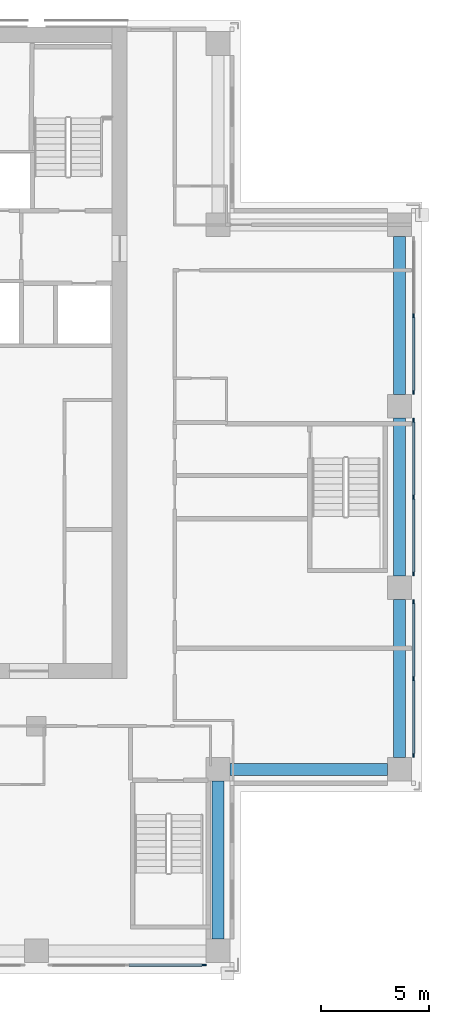
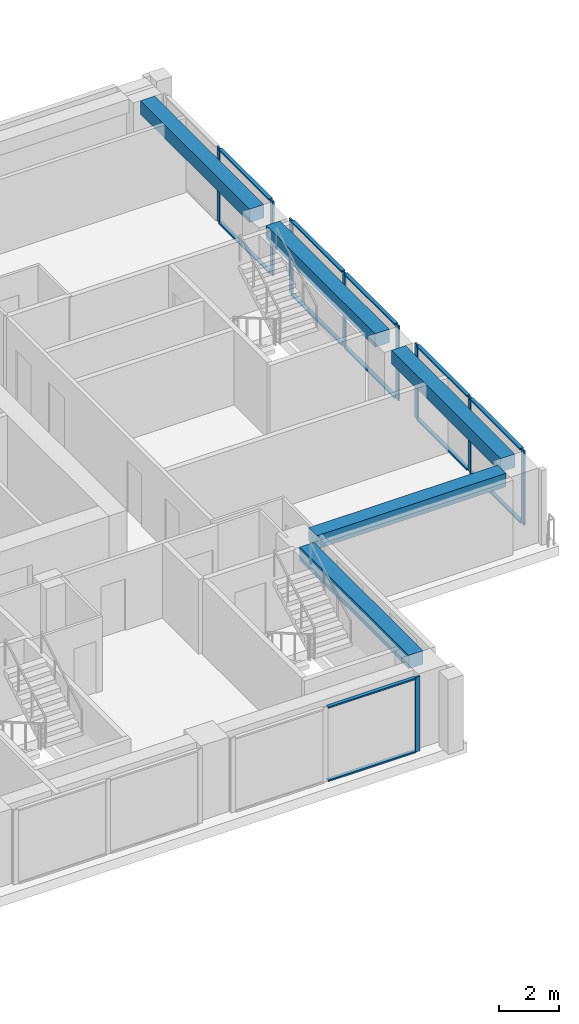
# One storey, part 5 of 16: 21 members, 5 beams, 4 elements without a shape of their own.
"""IFC4 building model written with IfcOpenShell, lengths in metres."""

from ifc_helpers import new_model, si_unit, direction, frame, origin, origin_2d, place, context, subcontext, project, spatial, rectangle, extrude, material, material_profile, profile_set, type_object, element, aggregate, save


model = new_model("IFC4")

# Units and contexts
model_context = context("Model", 3, precision=1e-05, world=origin(), true_north=direction((0.0, 1.0)))
body_context = subcontext(model_context, "Body", "Model", "MODEL_VIEW")
ifc_project = project(units=[si_unit("LENGTHUNIT", "METRE"), si_unit("AREAUNIT", "SQUARE_METRE"), si_unit("VOLUMEUNIT", "CUBIC_METRE"), si_unit("PLANEANGLEUNIT", "RADIAN"), si_unit("MASSUNIT", "GRAM", prefix="KILO")], contexts=[model_context])

# Site, building, storey
site_placement = place(None, origin())
site = spatial("IfcSite", under=ifc_project, at=site_placement, CompositionType="ELEMENT")
building_placement = place(site_placement, origin())
building = spatial("IfcBuilding", under=site, at=building_placement, Name="Vermilion Ogive Tower", CompositionType="ELEMENT")
storey_placement = place(building_placement, frame((0.0, 0.0, 136.550048828125)))
storey = spatial("IfcBuildingStorey", under=building, at=storey_placement, Name="L34", CompositionType="ELEMENT", Elevation=136.550048828125)

# Curtain wall, member
ifc_material_1 = material(Name="Low-iron laminated glazing in aluminium frame", Category="aluminium")
curtain_wall_type = type_object("IfcCurtainWallType", Name="Curtain wall CW7", PredefinedType="NOTDEFINED", material=ifc_material_1)
curtain_wall_1_placement = place(storey_placement, origin())
curtain_wall_1 = element("IfcCurtainWall", 1, at=curtain_wall_1_placement, inside=storey, type_object=curtain_wall_type, Name="Glazed skin S3", PredefinedType="NOTDEFINED")
ifc_material_2 = material(Name="Aluminium mullion", Category="aluminium")
ifc_material_profile_1 = material_profile(ifc_material_2, rectangle(XDim=0.06005859375, YDim=0.179931640625, at=origin_2d()), Name="AL 60x180")
ifc_profile_set_1 = profile_set([ifc_material_profile_1], Name="Aluminium mullion")
member_type_1 = type_object("IfcMemberType", Name="CW7 mullion 60x180", PredefinedType="MULLION", material=ifc_profile_set_1)
member_1_placement = place(storey_placement, frame((11.9599609375, -21.64990234375, 0.0), z_axis=(0.0, 0.0, 1.0), x_axis=(0.0, 1.0, 0.0)))
member_1 = element("IfcMember", 2, at=member_1_placement, type_object=member_type_1, Name="CW7-S3 mullion 3", PredefinedType="MULLION", context=body_context, shape_type="SweptSolid", body=[
    extrude(rectangle(XDim=0.06005859375, YDim=0.179931640625, at=origin_2d()), origin(), (0.0, 0.0, 1.0), 3.050048828125),
])

# Curtain wall, members
curtain_wall_2_placement = place(storey_placement, origin())
curtain_wall_2 = element("IfcCurtainWall", 3, at=curtain_wall_2_placement, inside=storey, type_object=curtain_wall_type, Name="Glazed skin E1", PredefinedType="NOTDEFINED")
member_2_placement = place(storey_placement, frame((21.64990234375, -11.9599609375, 0.0), z_axis=(0.0, 0.0, 1.0), x_axis=(-1.0, 0.0, 0.0)))
member_2 = element("IfcMember", 4, at=member_2_placement, type_object=member_type_1, Name="CW7-E1 mullion 1", PredefinedType="MULLION", context=body_context, shape_type="SweptSolid", body=[
    extrude(rectangle(XDim=0.06005859375, YDim=0.179931640625, at=origin_2d()), origin(), (0.0, 0.0, 1.0), 3.050048828125),
])
member_3_placement = place(storey_placement, frame((21.64990234375, -8.39990234375, 0.0), z_axis=(0.0, 0.0, 1.0), x_axis=(-1.0, 0.0, 0.0)))
member_3 = element("IfcMember", 5, at=member_3_placement, type_object=member_type_1, Name="CW7-E1 mullion 2", PredefinedType="MULLION", context=body_context, shape_type="SweptSolid", body=[
    extrude(rectangle(XDim=0.06005859375, YDim=0.179931640625, at=origin_2d()), origin(), (0.0, 0.0, 1.0), 3.050048828125),
])
member_4_placement = place(storey_placement, frame((21.64990234375, -4.840087890625, 0.0), z_axis=(0.0, 0.0, 1.0), x_axis=(-1.0, 0.0, 0.0)))
member_4 = element("IfcMember", 6, at=member_4_placement, type_object=member_type_1, Name="CW7-E1 mullion 3", PredefinedType="MULLION", context=body_context, shape_type="SweptSolid", body=[
    extrude(rectangle(XDim=0.06005859375, YDim=0.179931640625, at=origin_2d()), origin(), (0.0, 0.0, 1.0), 3.050048828125),
])

curtain_wall_3_placement = place(storey_placement, origin())
curtain_wall_3 = element("IfcCurtainWall", 7, at=curtain_wall_3_placement, inside=storey, type_object=curtain_wall_type, Name="Glazed skin E2", PredefinedType="NOTDEFINED")
member_5_placement = place(storey_placement, frame((21.64990234375, -3.56005859375, 0.0), z_axis=(0.0, 0.0, 1.0), x_axis=(-1.0, 0.0, 0.0)))
member_5 = element("IfcMember", 8, at=member_5_placement, type_object=member_type_1, Name="CW7-E2 mullion 1", PredefinedType="MULLION", context=body_context, shape_type="SweptSolid", body=[
    extrude(rectangle(XDim=0.06005859375, YDim=0.179931640625, at=origin_2d()), origin(), (0.0, 0.0, 1.0), 3.050048828125),
])
member_6_placement = place(storey_placement, frame((21.64990234375, 0.0, 0.0), z_axis=(0.0, 0.0, 1.0), x_axis=(-1.0, 0.0, 0.0)))
member_6 = element("IfcMember", 9, at=member_6_placement, type_object=member_type_1, Name="CW7-E2 mullion 2", PredefinedType="MULLION", context=body_context, shape_type="SweptSolid", body=[
    extrude(rectangle(XDim=0.06005859375, YDim=0.179931640625, at=origin_2d()), origin(), (0.0, 0.0, 1.0), 3.050048828125),
])
member_7_placement = place(storey_placement, frame((21.64990234375, 3.56005859375, 0.0), z_axis=(0.0, 0.0, 1.0), x_axis=(-1.0, 0.0, 0.0)))
member_7 = element("IfcMember", 10, at=member_7_placement, type_object=member_type_1, Name="CW7-E2 mullion 3", PredefinedType="MULLION", context=body_context, shape_type="SweptSolid", body=[
    extrude(rectangle(XDim=0.06005859375, YDim=0.179931640625, at=origin_2d()), origin(), (0.0, 0.0, 1.0), 3.050048828125),
])

curtain_wall_4_placement = place(storey_placement, origin())
curtain_wall_4 = element("IfcCurtainWall", 11, at=curtain_wall_4_placement, inside=storey, type_object=curtain_wall_type, Name="Glazed skin E3", PredefinedType="NOTDEFINED")
member_8_placement = place(storey_placement, frame((21.64990234375, 4.840087890625, 0.0), z_axis=(0.0, 0.0, 1.0), x_axis=(-1.0, 0.0, 0.0)))
member_8 = element("IfcMember", 12, at=member_8_placement, type_object=member_type_1, Name="CW7-E3 mullion 1", PredefinedType="MULLION", context=body_context, shape_type="SweptSolid", body=[
    extrude(rectangle(XDim=0.06005859375, YDim=0.179931640625, at=origin_2d()), origin(), (0.0, 0.0, 1.0), 3.050048828125),
])
member_9_placement = place(storey_placement, frame((21.64990234375, 8.39990234375, 0.0), z_axis=(0.0, 0.0, 1.0), x_axis=(-1.0, 0.0, 0.0)))
member_9 = element("IfcMember", 13, at=member_9_placement, type_object=member_type_1, Name="CW7-E3 mullion 2", PredefinedType="MULLION", context=body_context, shape_type="SweptSolid", body=[
    extrude(rectangle(XDim=0.06005859375, YDim=0.179931640625, at=origin_2d()), origin(), (0.0, 0.0, 1.0), 3.050048828125),
])

# Member
ifc_material_3 = material(Name="Aluminium transom", Category="aluminium")
ifc_material_profile_2 = material_profile(ifc_material_3, rectangle(XDim=0.139892578125, YDim=0.06005859375, at=origin_2d()), Name="AL 60x140")
ifc_profile_set_2 = profile_set([ifc_material_profile_2], Name="Aluminium transom")
member_type_2 = type_object("IfcMemberType", Name="CW7 transom 60x140", PredefinedType="USERDEFINED", material=ifc_profile_set_2)
member_10_placement = place(storey_placement, frame((8.489990234375, -21.64990234375, 0.030029296875), z_axis=(1.0, 0.0, 0.0), x_axis=(0.0, 1.0, 0.0)))
member_10 = element("IfcMember", 14, at=member_10_placement, type_object=member_type_2, Name="CW7-S3 transom 2.1", ObjectType="TRANSOM", PredefinedType="USERDEFINED", context=body_context, shape_type="SweptSolid", body=[
    extrude(rectangle(XDim=0.139892578125, YDim=0.06005859375, at=origin_2d()), origin(), (0.0, 0.0, 1.0), 3.380126953125),
])

member_11_placement = place(storey_placement, frame((8.489990234375, -21.64990234375, 3.02001953125), z_axis=(1.0, 0.0, 0.0), x_axis=(0.0, 1.0, 0.0)))
member_11 = element("IfcMember", 15, at=member_11_placement, type_object=member_type_2, Name="CW7-S3 transom 2.2", ObjectType="TRANSOM", PredefinedType="USERDEFINED", context=body_context, shape_type="SweptSolid", body=[
    extrude(rectangle(XDim=0.139892578125, YDim=0.06005859375, at=origin_2d()), origin(), (0.0, 0.0, 1.0), 3.380126953125),
])

aggregate(curtain_wall_1, [member_1, member_10, member_11])

member_12_placement = place(storey_placement, frame((21.64990234375, -11.8701171875, 0.030029296875), z_axis=(0.0, 1.0, 0.0), x_axis=(-1.0, 0.0, 0.0)))
member_12 = element("IfcMember", 16, at=member_12_placement, type_object=member_type_2, Name="CW7-E1 transom 1.1", ObjectType="TRANSOM", PredefinedType="USERDEFINED", context=body_context, shape_type="SweptSolid", body=[
    extrude(rectangle(XDim=0.139892578125, YDim=0.06005859375, at=origin_2d()), origin(), (0.0, 0.0, 1.0), 3.380126953125),
])

member_13_placement = place(storey_placement, frame((21.64990234375, -11.8701171875, 3.02001953125), z_axis=(0.0, 1.0, 0.0), x_axis=(-1.0, 0.0, 0.0)))
member_13 = element("IfcMember", 17, at=member_13_placement, type_object=member_type_2, Name="CW7-E1 transom 1.2", ObjectType="TRANSOM", PredefinedType="USERDEFINED", context=body_context, shape_type="SweptSolid", body=[
    extrude(rectangle(XDim=0.139892578125, YDim=0.06005859375, at=origin_2d()), origin(), (0.0, 0.0, 1.0), 3.380126953125),
])

member_14_placement = place(storey_placement, frame((21.64990234375, -8.31005859375, 0.030029296875), z_axis=(0.0, 1.0, 0.0), x_axis=(-1.0, 0.0, 0.0)))
member_14 = element("IfcMember", 18, at=member_14_placement, type_object=member_type_2, Name="CW7-E1 transom 2.1", ObjectType="TRANSOM", PredefinedType="USERDEFINED", context=body_context, shape_type="SweptSolid", body=[
    extrude(rectangle(XDim=0.139892578125, YDim=0.06005859375, at=origin_2d()), origin(), (0.0, 0.0, 1.0), 3.380126953125),
])

member_15_placement = place(storey_placement, frame((21.64990234375, -8.31005859375, 3.02001953125), z_axis=(0.0, 1.0, 0.0), x_axis=(-1.0, 0.0, 0.0)))
member_15 = element("IfcMember", 19, at=member_15_placement, type_object=member_type_2, Name="CW7-E1 transom 2.2", ObjectType="TRANSOM", PredefinedType="USERDEFINED", context=body_context, shape_type="SweptSolid", body=[
    extrude(rectangle(XDim=0.139892578125, YDim=0.06005859375, at=origin_2d()), origin(), (0.0, 0.0, 1.0), 3.380126953125),
])

aggregate(curtain_wall_2, [member_2, member_3, member_4, member_12, member_13, member_14, member_15])

member_16_placement = place(storey_placement, frame((21.64990234375, -3.469970703125, 0.030029296875), z_axis=(0.0, 1.0, 0.0), x_axis=(-1.0, 0.0, 0.0)))
member_16 = element("IfcMember", 20, at=member_16_placement, type_object=member_type_2, Name="CW7-E2 transom 1.1", ObjectType="TRANSOM", PredefinedType="USERDEFINED", context=body_context, shape_type="SweptSolid", body=[
    extrude(rectangle(XDim=0.139892578125, YDim=0.06005859375, at=origin_2d()), origin(), (0.0, 0.0, 1.0), 3.3798828125),
])

member_17_placement = place(storey_placement, frame((21.64990234375, -3.469970703125, 3.02001953125), z_axis=(0.0, 1.0, 0.0), x_axis=(-1.0, 0.0, 0.0)))
member_17 = element("IfcMember", 21, at=member_17_placement, type_object=member_type_2, Name="CW7-E2 transom 1.2", ObjectType="TRANSOM", PredefinedType="USERDEFINED", context=body_context, shape_type="SweptSolid", body=[
    extrude(rectangle(XDim=0.139892578125, YDim=0.06005859375, at=origin_2d()), origin(), (0.0, 0.0, 1.0), 3.3798828125),
])

member_18_placement = place(storey_placement, frame((21.64990234375, 0.090087890625, 0.030029296875), z_axis=(0.0, 1.0, 0.0), x_axis=(-1.0, 0.0, 0.0)))
member_18 = element("IfcMember", 22, at=member_18_placement, type_object=member_type_2, Name="CW7-E2 transom 2.1", ObjectType="TRANSOM", PredefinedType="USERDEFINED", context=body_context, shape_type="SweptSolid", body=[
    extrude(rectangle(XDim=0.139892578125, YDim=0.06005859375, at=origin_2d()), origin(), (0.0, 0.0, 1.0), 3.3798828125),
])

member_19_placement = place(storey_placement, frame((21.64990234375, 0.090087890625, 3.02001953125), z_axis=(0.0, 1.0, 0.0), x_axis=(-1.0, 0.0, 0.0)))
member_19 = element("IfcMember", 23, at=member_19_placement, type_object=member_type_2, Name="CW7-E2 transom 2.2", ObjectType="TRANSOM", PredefinedType="USERDEFINED", context=body_context, shape_type="SweptSolid", body=[
    extrude(rectangle(XDim=0.139892578125, YDim=0.06005859375, at=origin_2d()), origin(), (0.0, 0.0, 1.0), 3.3798828125),
])

aggregate(curtain_wall_3, [member_5, member_6, member_7, member_16, member_17, member_18, member_19])

member_20_placement = place(storey_placement, frame((21.64990234375, 4.929931640625, 0.030029296875), z_axis=(0.0, 1.0, 0.0), x_axis=(-1.0, 0.0, 0.0)))
member_20 = element("IfcMember", 24, at=member_20_placement, type_object=member_type_2, Name="CW7-E3 transom 1.1", ObjectType="TRANSOM", PredefinedType="USERDEFINED", context=body_context, shape_type="SweptSolid", body=[
    extrude(rectangle(XDim=0.139892578125, YDim=0.06005859375, at=origin_2d()), origin(), (0.0, 0.0, 1.0), 3.380126953125),
])

member_21_placement = place(storey_placement, frame((21.64990234375, 4.929931640625, 3.02001953125), z_axis=(0.0, 1.0, 0.0), x_axis=(-1.0, 0.0, 0.0)))
member_21 = element("IfcMember", 25, at=member_21_placement, type_object=member_type_2, Name="CW7-E3 transom 1.2", ObjectType="TRANSOM", PredefinedType="USERDEFINED", context=body_context, shape_type="SweptSolid", body=[
    extrude(rectangle(XDim=0.139892578125, YDim=0.06005859375, at=origin_2d()), origin(), (0.0, 0.0, 1.0), 3.380126953125),
])

aggregate(curtain_wall_4, [member_8, member_9, member_20, member_21])

# Beams
ifc_material_4 = material(Name="Concrete B45", Category="concrete")
ifc_material_profile_3 = material_profile(ifc_material_4, rectangle(XDim=0.550048828125, YDim=0.550048828125, at=origin_2d()), Name="550 x 550")
ifc_profile_set_3 = profile_set([ifc_material_profile_3], Name="Concrete B45")
beam_type = type_object("IfcBeamType", Name="Edge beam 550 x 550 B45", PredefinedType="BEAM", material=ifc_profile_set_3)
for number, where, z_axis, x_axis, name in (
    (26, (12.60009765625, -20.449951171875, 2.77490234375), (0.0, 1.0, 0.0), (-1.0, 0.0, 0.0), "L34-EB-4"),
    (27, (13.14990234375, -12.60009765625, 2.77490234375), (1.0, 0.0, 0.0), (0.0, 1.0, 0.0), "L34-EB-5"),
    (28, (21.0, -12.050048828125, 2.77490234375), (0.0, 1.0, 0.0), (-1.0, 0.0, 0.0), "L34-EB-6"),
):
    element("IfcBeam", number, at=place(storey_placement, frame(where, z_axis=z_axis, x_axis=x_axis)), inside=storey, type_object=beam_type, Name=name, PredefinedType="BEAM", context=body_context, shape_type="SweptSolid", body=[
        extrude(rectangle(XDim=0.550048828125, YDim=0.550048828125, at=origin_2d()), origin(), (0.0, 0.0, 1.0), 7.300048828125),
    ])
beam_1_placement = place(storey_placement, frame((21.0, -3.64990234375, 2.77490234375), z_axis=(0.0, 1.0, 0.0), x_axis=(-1.0, 0.0, 0.0)))
element("IfcBeam", 29, at=beam_1_placement, inside=storey, type_object=beam_type, Name="L34-EB-7", PredefinedType="BEAM", context=body_context, shape_type="SweptSolid", body=[
    extrude(rectangle(XDim=0.550048828125, YDim=0.550048828125, at=origin_2d()), origin(), (0.0, 0.0, 1.0), 7.2998046875),
])
beam_2_placement = place(storey_placement, frame((21.0, 4.75, 2.77490234375), z_axis=(0.0, 1.0, 0.0), x_axis=(-1.0, 0.0, 0.0)))
element("IfcBeam", 30, at=beam_2_placement, inside=storey, type_object=beam_type, Name="L34-EB-8", PredefinedType="BEAM", context=body_context, shape_type="SweptSolid", body=[
    extrude(rectangle(XDim=0.550048828125, YDim=0.550048828125, at=origin_2d()), origin(), (0.0, 0.0, 1.0), 7.300048828125),
])

save(model, "model.ifc")
